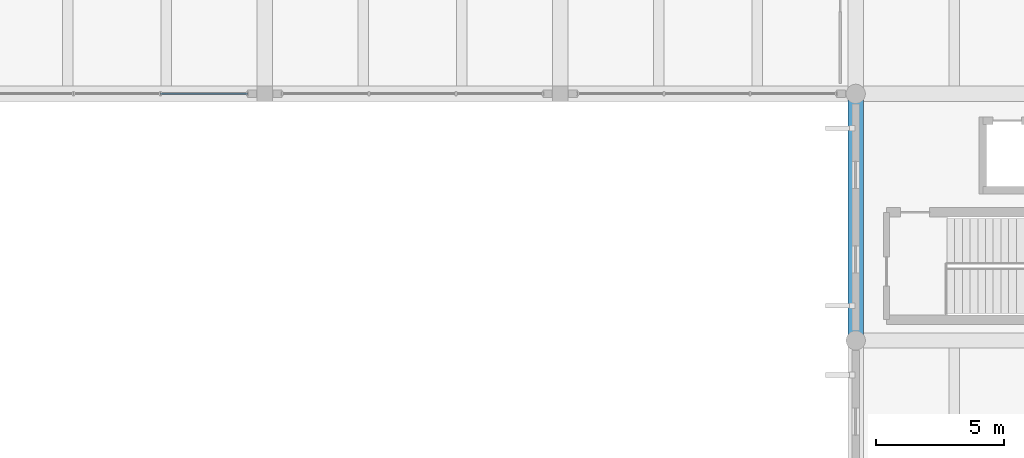
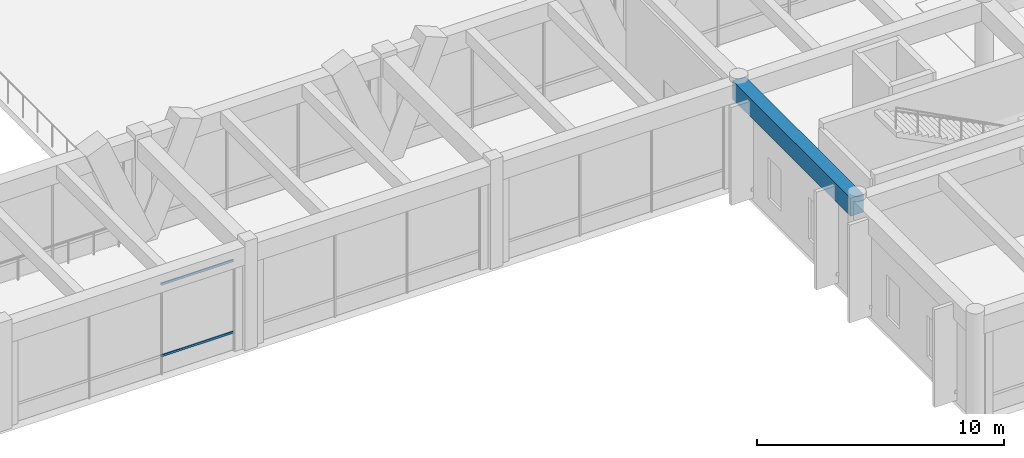
# One storey, part 15 of 148: 2 members, 1 beam, 1 element without a shape of its own.
"""IFC4 building model written with IfcOpenShell, lengths in metres."""

from ifc_helpers import new_model, si_unit, direction, frame, origin, origin_2d, place, context, subcontext, project, spatial, rectangle, hollow_rectangle, extrude, material, material_profile, profile_set, type_object, element, aggregate, save


model = new_model("IFC4")

# Units and contexts
model_context = context("Model", 3, precision=1e-05, world=origin(), true_north=direction((0.0, 1.0)))
body_context = subcontext(model_context, "Body", "Model", "MODEL_VIEW")
ifc_project = project(units=[si_unit("LENGTHUNIT", "METRE"), si_unit("AREAUNIT", "SQUARE_METRE"), si_unit("VOLUMEUNIT", "CUBIC_METRE"), si_unit("PLANEANGLEUNIT", "RADIAN"), si_unit("MASSUNIT", "GRAM", prefix="KILO")], contexts=[model_context])

# Site, building, storey
site_placement = place(None, origin())
site = spatial("IfcSite", under=ifc_project, at=site_placement, CompositionType="ELEMENT")
building_placement = place(site_placement, origin())
building = spatial("IfcBuilding", under=site, at=building_placement, Name="Ologun Quay Terminus", CompositionType="ELEMENT")
storey_placement = place(building_placement, frame((0.0, 0.0, 8.39990234375)))
storey = spatial("IfcBuildingStorey", under=building, at=storey_placement, Name="L02", CompositionType="ELEMENT", Elevation=8.39990234375)

# Curtain wall, members
ifc_material_1 = material(Name="Aluminium 6063-T6", Category="aluminium")
curtain_wall_type = type_object("IfcCurtainWallType", Name="Concourse Departure Curtain Wall 10700x4950", PredefinedType="USERDEFINED", material=ifc_material_1)
curtain_wall_placement = place(storey_placement, origin())
curtain_wall = element("IfcCurtainWall", 1, at=curtain_wall_placement, inside=storey, type_object=curtain_wall_type, Name="CW-05 Curtain Wall CW-L02-021", ObjectType="UNITISED CURTAIN WALL", PredefinedType="USERDEFINED")
ifc_material_2 = material(Name="Aluminium 6063-T6", Category="aluminium")
ifc_material_profile_1 = material_profile(ifc_material_2, hollow_rectangle(XDim=0.054931640625, YDim=0.110107421875, WallThickness=0.00390625, at=origin_2d()), Name="ALU 110x55x4")
ifc_profile_set_1 = profile_set([ifc_material_profile_1], Name="Aluminium 6063-T6")
member_type = type_object("IfcMemberType", Name="Curtain Wall Standard Transom 110x55", PredefinedType="USERDEFINED", material=ifc_profile_set_1)
member_1_placement = place(storey_placement, frame((30.443359375, 27.199951171875, 0.900146484375), z_axis=(1.0, 0.0, 0.0), x_axis=(0.0, 1.0, 0.0)))
member_1 = element("IfcMember", 2, at=member_1_placement, type_object=member_type, Name="CW-L02-021 Transom B3-1", ObjectType="TRANSOM", PredefinedType="USERDEFINED", context=body_context, shape_type="SweptSolid", body=[
    extrude(hollow_rectangle(XDim=0.054931640625, YDim=0.110107421875, WallThickness=0.00390625, at=origin_2d()), origin(), (0.0, 0.0, 1.0), 3.38671875),
])
member_2_placement = place(storey_placement, frame((30.443359375, 27.199951171875, 4.440185546875), z_axis=(1.0, 0.0, 0.0), x_axis=(0.0, 1.0, 0.0)))
member_2 = element("IfcMember", 3, at=member_2_placement, type_object=member_type, Name="CW-L02-021 Transom B3-2", ObjectType="TRANSOM", PredefinedType="USERDEFINED", context=body_context, shape_type="SweptSolid", body=[
    extrude(hollow_rectangle(XDim=0.054931640625, YDim=0.110107421875, WallThickness=0.00390625, at=origin_2d()), origin(), (0.0, 0.0, 1.0), 3.38671875),
])
aggregate(curtain_wall, [member_1, member_2])

# Beam
ifc_material_3 = material(Name="Concrete C40/50", Category="concrete")
ifc_material_profile_2 = material_profile(ifc_material_3, rectangle(XDim=0.60009765625, YDim=0.89990234375, at=origin_2d()), Name="RC 600x900")
ifc_profile_set_2 = profile_set([ifc_material_profile_2], Name="Concrete C40/50")
beam_type = type_object("IfcBeamType", Name="Station Frame Girder 600x900", PredefinedType="BEAM", material=ifc_profile_set_2)
beam_placement = place(storey_placement, frame((57.5, 17.60009765625, 4.7001953125), z_axis=(0.0, 1.0, 0.0), x_axis=(-1.0, 0.0, 0.0)))
element("IfcBeam", 4, at=beam_placement, inside=storey, type_object=beam_type, Name="B3 Beam 6/C L02", PredefinedType="BEAM", context=body_context, shape_type="SweptSolid", body=[
    extrude(rectangle(XDim=0.60009765625, YDim=0.89990234375, at=origin_2d()), origin(), (0.0, 0.0, 1.0), 9.599853515625),
])

save(model, "model.ifc")
